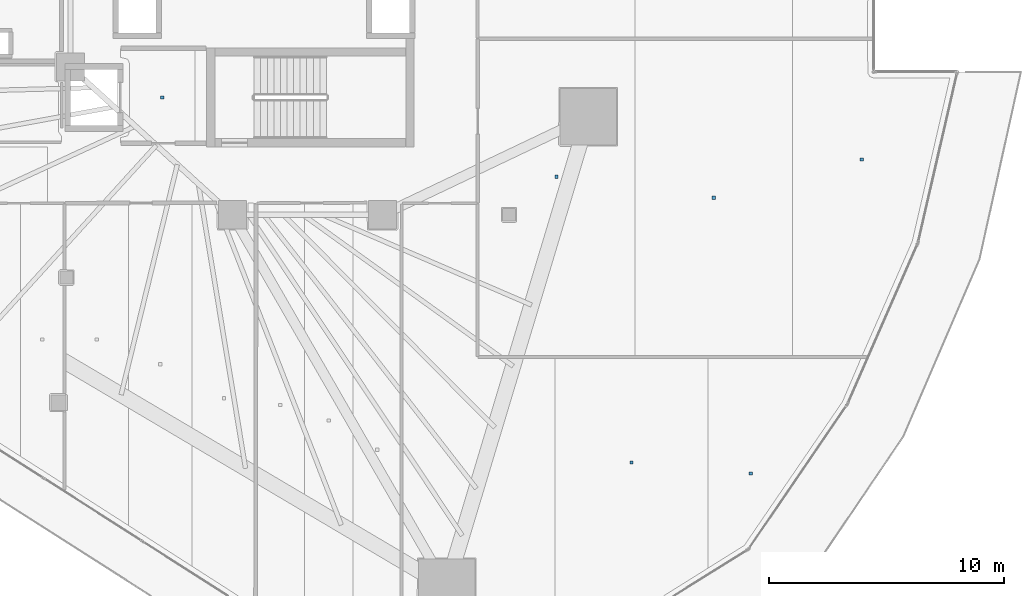
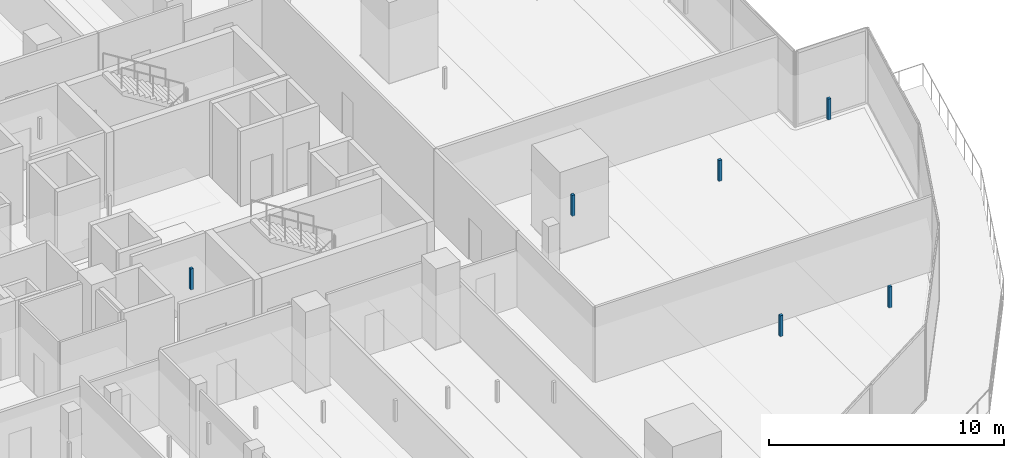
# One storey, part 33 of 44: 6 discrete accessories.
"""IFC4 building model written with IfcOpenShell, lengths in metres."""

from ifc_helpers import new_model, si_unit, direction, frame, origin, origin_2d, place, context, subcontext, project, spatial, rectangle, extrude, material, type_object, element, save


model = new_model("IFC4")

# Units and contexts
model_context = context("Model", 3, precision=1e-05, world=origin(), true_north=direction((0.0, 1.0)))
body_context = subcontext(model_context, "Body", "Model", "MODEL_VIEW")
ifc_project = project(units=[si_unit("LENGTHUNIT", "METRE"), si_unit("AREAUNIT", "SQUARE_METRE"), si_unit("VOLUMEUNIT", "CUBIC_METRE"), si_unit("PLANEANGLEUNIT", "RADIAN"), si_unit("MASSUNIT", "GRAM", prefix="KILO")], contexts=[model_context])

# Site, building, storey
site_placement = place(None, origin())
site = spatial("IfcSite", under=ifc_project, at=site_placement, CompositionType="ELEMENT")
building_placement = place(site_placement, origin())
building = spatial("IfcBuilding", under=site, at=building_placement, Name="Qorvath Tower", CompositionType="ELEMENT")
storey_placement = place(building_placement, frame((0.0, 0.0, 53.39990234375)))
storey = spatial("IfcBuildingStorey", under=building, at=storey_placement, Name="L11", CompositionType="ELEMENT", Elevation=53.39990234375)

# Discrete accessories
ifc_material = material(Name="Galvanised steel bracket", Category="steel")
discrete_accessory_type = type_object("IfcDiscreteAccessoryType", Name="DA-BRACKET", PredefinedType="BRACKET", material=ifc_material)
for number, where, z_axis, x_axis, name in (
    (1, (-26.590087890625, -6.449951171875, 2.85986328125), (0.0, 0.0, 1.0), (1.0, 0.0, 0.0), "Acoustic Ceiling Suspension Hanger T1-L11-002"),
    (2, (-6.577880859375, -22.011474609375, 2.85986328125), (0.0, 0.0, 1.0), (1.0, 0.0, 0.0), "Acoustic Ceiling Suspension Hanger T1-L11-033"),
    (3, (-1.494140625, -22.482177734375, 2.85986328125), (0.0, 0.0, 1.0), (1.0, 0.0, 0.0), "Acoustic Ceiling Suspension Hanger T1-L11-034"),
    (4, (-9.781982421875, -9.83447265625, 2.85986328125), (0.0, 0.0, 1.0), (1.0, 0.0, 0.0), "Acoustic Ceiling Suspension Hanger T1-L11-035"),
    (5, (-3.071533203125, -10.720947265625, 2.85986328125), (0.0, 0.0, 1.0), (1.0, 0.0, 0.0), "Acoustic Ceiling Suspension Hanger T1-L11-036"),
    (6, (3.237060546875, -9.0966796875, 2.85986328125), (0.0, 0.0, 1.0), (1.0, 0.0, 0.0), "Acoustic Ceiling Suspension Hanger T1-L11-037"),
):
    element("IfcDiscreteAccessory", number, at=place(storey_placement, frame(where, z_axis=z_axis, x_axis=x_axis)), inside=storey, type_object=discrete_accessory_type, Name=name, PredefinedType="NOTDEFINED", context=body_context, shape_type="SweptSolid", body=[
        extrude(rectangle(XDim=0.139892578125, YDim=0.139892578125, at=origin_2d()), origin(), (0.0, 0.0, 1.0), 1.090087890625),
    ])

save(model, "model.ifc")
